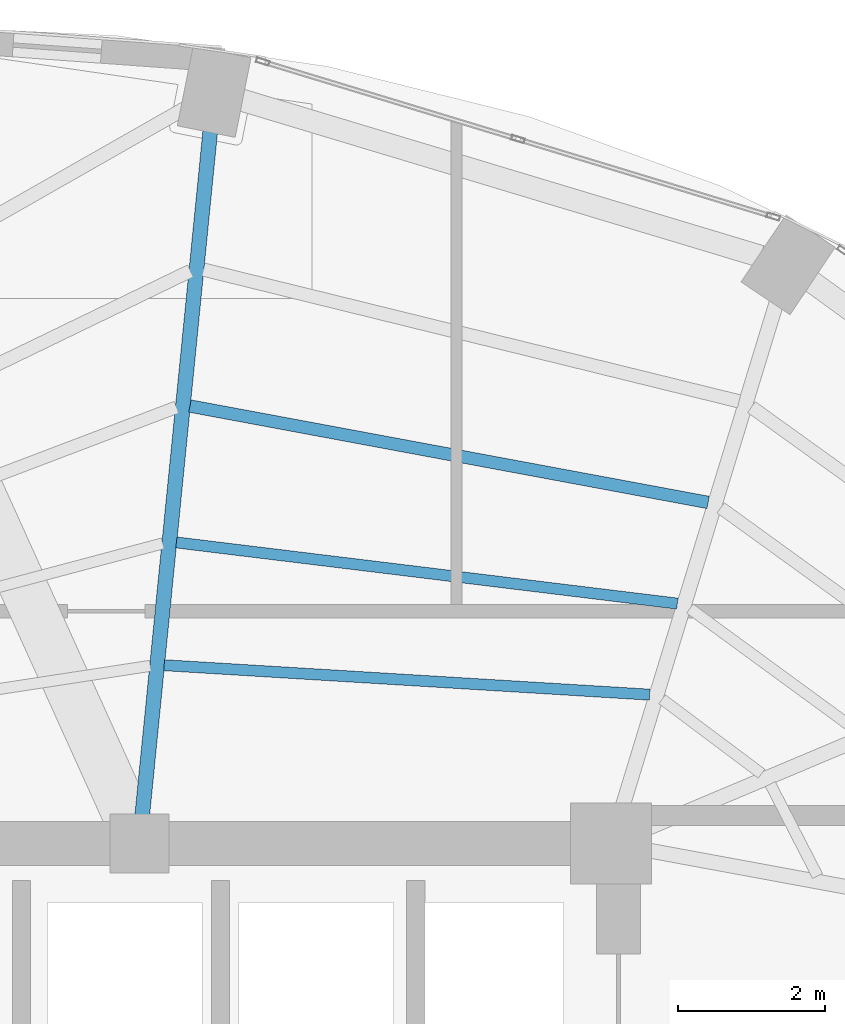
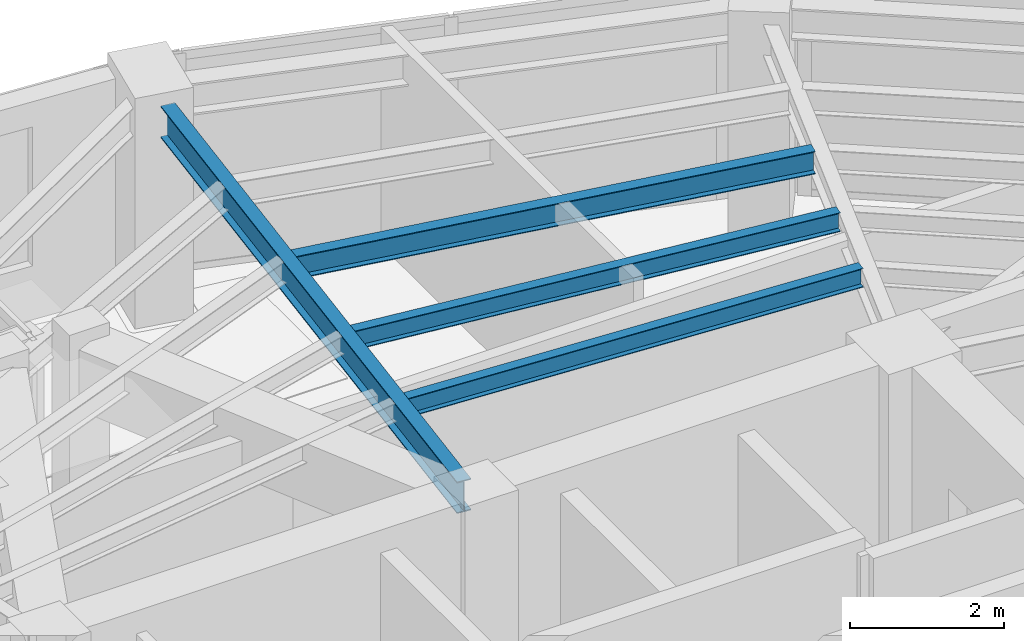
# One storey, part 12 of 23: 4 beams.
"""IFC4 building model written with IfcOpenShell, lengths in metres."""

from ifc_helpers import new_model, si_unit, direction, frame, origin, origin_2d, place, context, subcontext, project, spatial, i_section, extrude, material, material_profile, profile_set, type_object, element, save


model = new_model("IFC4")

# Units and contexts
model_context = context("Model", 3, precision=1e-05, world=origin(), true_north=direction((0.0, 1.0)))
body_context = subcontext(model_context, "Body", "Model", "MODEL_VIEW")
ifc_project = project(units=[si_unit("LENGTHUNIT", "METRE"), si_unit("AREAUNIT", "SQUARE_METRE"), si_unit("VOLUMEUNIT", "CUBIC_METRE"), si_unit("PLANEANGLEUNIT", "RADIAN"), si_unit("MASSUNIT", "GRAM", prefix="KILO")], contexts=[model_context])

# Site, building, storey
site_placement = place(None, origin())
site = spatial("IfcSite", under=ifc_project, at=site_placement, CompositionType="ELEMENT")
building_placement = place(site_placement, origin())
building = spatial("IfcBuilding", under=site, at=building_placement, Name="Lazwardi Medical Tower", CompositionType="ELEMENT")
storey_placement = place(building_placement, frame((0.0, 0.0, 209.424072265625)))
storey = spatial("IfcBuildingStorey", under=building, at=storey_placement, Name="L54", CompositionType="ELEMENT", Elevation=209.424072265625)

# Beams
ifc_material = material(Name="Steel S355", Category="steel")
ifc_material_profile_1 = material_profile(ifc_material, i_section(OverallWidth=0.199951171875, OverallDepth=0.5, WebThickness=0.01025390625, FlangeThickness=0.01611328125, at=origin_2d()), Name="IPE 500")
ifc_profile_set_1 = profile_set([ifc_material_profile_1], Name="Steel S355")
beam_type_1 = type_object("IfcBeamType", Name="BM-RG-W3", PredefinedType="BEAM", material=ifc_profile_set_1)
beam_1_placement = place(storey_placement, frame((40.1611328125, 45.265869140625, 3.197998046875), z_axis=(-0.098954361922, -0.995091972763, 0.0), x_axis=(0.995091972763, -0.098954361922, 0.0)))
element("IfcBeam", 1, at=beam_1_placement, inside=storey, type_object=beam_type_1, Name="Radial girder RG-04 R08 L54", PredefinedType="BEAM", context=body_context, shape_type="SweptSolid", body=[
    extrude(i_section(OverallWidth=0.199951171875, OverallDepth=0.5, WebThickness=0.01025390625, FlangeThickness=0.01611328125, at=origin_2d()), origin(), (0.0, 0.0, 1.0), 9.32861328125),
])
ifc_material_profile_2 = material_profile(ifc_material, i_section(OverallWidth=0.169921875, OverallDepth=0.360107421875, WebThickness=0.008056640625, FlangeThickness=0.0126953125, at=origin_2d()), Name="IPE 360")
ifc_profile_set_2 = profile_set([ifc_material_profile_2], Name="Steel S355")
beam_type_2 = type_object("IfcBeamType", Name="BM-SJ-02", PredefinedType="JOIST", material=ifc_profile_set_2)
beam_2_placement = place(storey_placement, frame((46.91552734375, 40.2275390625, 3.267822265625), z_axis=(-0.983132476587, 0.182894870019, 0.0), x_axis=(-0.182894870019, -0.983132476587, 0.0)))
element("IfcBeam", 2, at=beam_2_placement, inside=storey, type_object=beam_type_2, Name="Secondary joist SJ-02 R2 B07 L54", PredefinedType="JOIST", context=body_context, shape_type="SweptSolid", body=[
    extrude(i_section(OverallWidth=0.169921875, OverallDepth=0.360107421875, WebThickness=0.008056640625, FlangeThickness=0.0126953125, at=origin_2d()), origin(), (0.0, 0.0, 1.0), 7.15087890625),
])
ifc_material_profile_3 = material_profile(ifc_material, i_section(OverallWidth=0.14990234375, OverallDepth=0.300048828125, WebThickness=0.007080078125, FlangeThickness=0.0107421875, at=origin_2d()), Name="IPE 300")
ifc_profile_set_3 = profile_set([ifc_material_profile_3], Name="Steel S355")
beam_type_3 = type_object("IfcBeamType", Name="BM-SJ-03", PredefinedType="JOIST", material=ifc_profile_set_3)
beam_3_placement = place(storey_placement, frame((46.4970703125, 38.85546875, 3.2978515625), z_axis=(-0.992634689535, 0.121146081783, 0.0), x_axis=(-0.121146081783, -0.992634689535, 0.0)))
element("IfcBeam", 3, at=beam_3_placement, inside=storey, type_object=beam_type_3, Name="Secondary joist SJ-03 R3 B07 L54", PredefinedType="JOIST", context=body_context, shape_type="SweptSolid", body=[
    extrude(i_section(OverallWidth=0.14990234375, OverallDepth=0.300048828125, WebThickness=0.007080078125, FlangeThickness=0.0107421875, at=origin_2d()), origin(), (0.0, 0.0, 1.0), 6.845947265625),
])
beam_4_placement = place(storey_placement, frame((46.120849609375, 37.6201171875, 3.2978515625), z_axis=(-0.998165515862, 0.060544223044, 0.0), x_axis=(-0.060544223044, -0.998165515862, 0.0)))
element("IfcBeam", 4, at=beam_4_placement, inside=storey, type_object=beam_type_3, Name="Secondary joist SJ-03 R4 B07 L54", PredefinedType="JOIST", context=body_context, shape_type="SweptSolid", body=[
    extrude(i_section(OverallWidth=0.14990234375, OverallDepth=0.300048828125, WebThickness=0.007080078125, FlangeThickness=0.0107421875, at=origin_2d()), origin(), (0.0, 0.0, 1.0), 6.59716796875),
])

save(model, "model.ifc")
